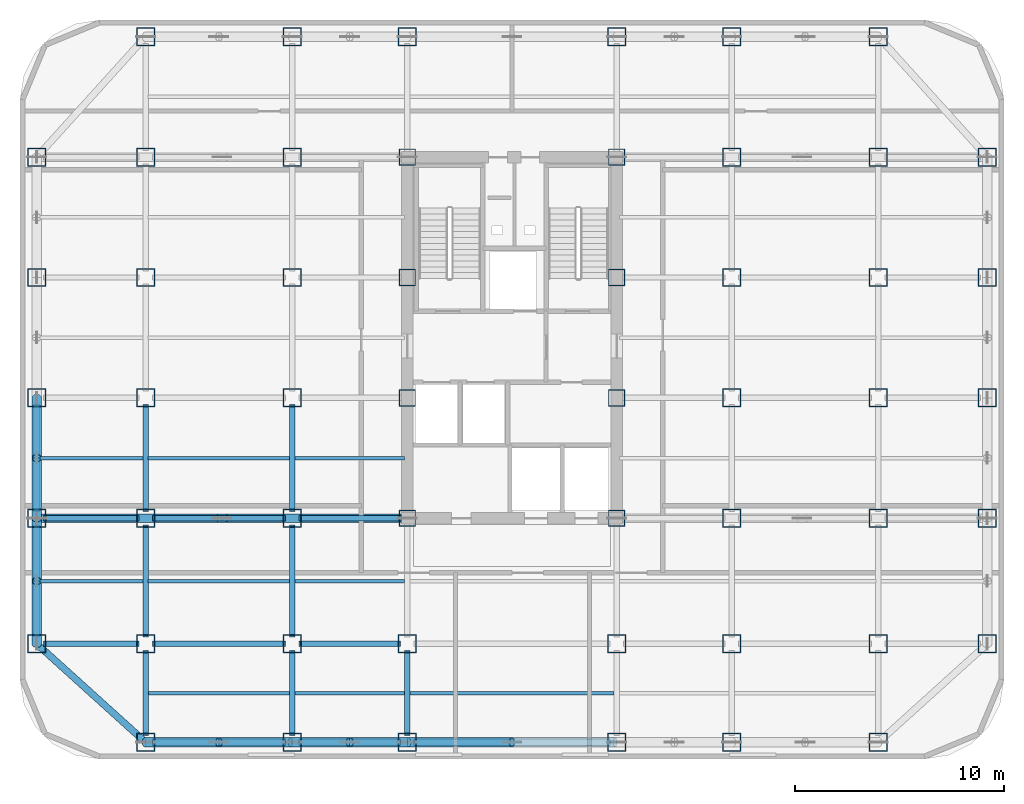
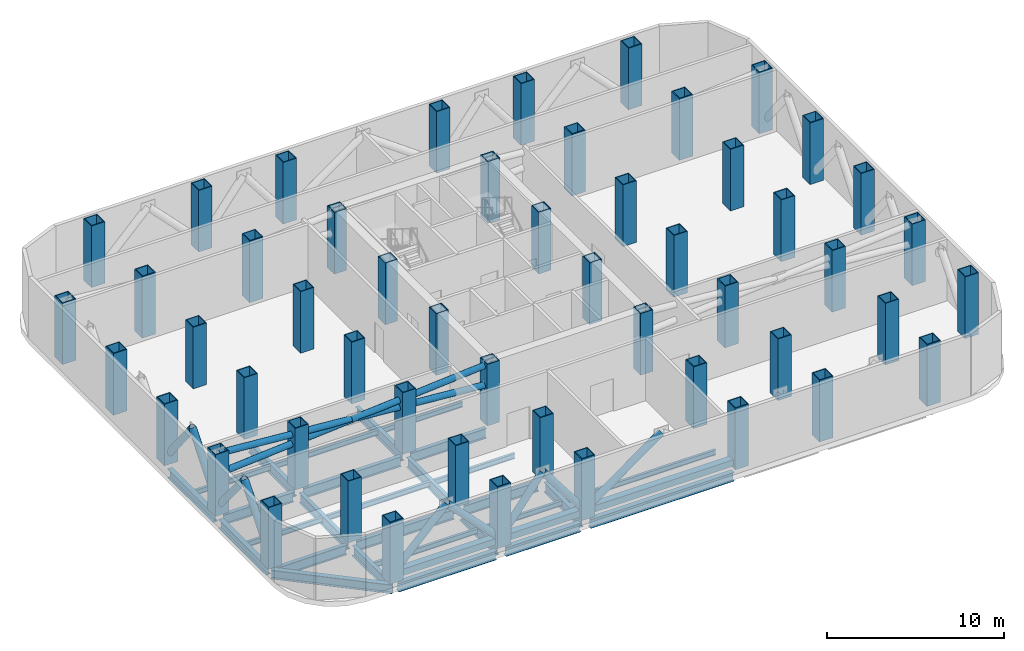
# One storey, part 1 of 9: 52 columns, 28 beams, 15 members.
"""IFC4 building model written with IfcOpenShell, lengths in metres."""

from ifc_helpers import new_model, si_unit, direction, frame, origin, origin_2d, place, context, subcontext, project, spatial, hollow_rectangle, hollow_circle, i_section, extrude, source, transform, mapped, material, material_profile, profile_set, type_object, element, save


model = new_model("IFC4")

# Units and contexts
model_context = context("Model", 3, precision=1e-05, world=origin(), true_north=direction((0.0, 1.0)))
body_context = subcontext(model_context, "Body", "Model", "MODEL_VIEW")
ifc_project = project(units=[si_unit("LENGTHUNIT", "METRE"), si_unit("AREAUNIT", "SQUARE_METRE"), si_unit("VOLUMEUNIT", "CUBIC_METRE"), si_unit("PLANEANGLEUNIT", "RADIAN"), si_unit("MASSUNIT", "GRAM", prefix="KILO")], contexts=[model_context])

# Site, building, storey
site_placement = place(None, origin())
site = spatial("IfcSite", under=ifc_project, at=site_placement, CompositionType="ELEMENT")
building_placement = place(site_placement, origin())
building = spatial("IfcBuilding", under=site, at=building_placement, Name="Kolveth Station Tower", CompositionType="ELEMENT")
storey_placement = place(building_placement, frame((0.0, 0.0, 143.89990234375)))
storey = spatial("IfcBuildingStorey", under=building, at=storey_placement, Name="L40", CompositionType="ELEMENT", Elevation=143.89990234375)

# Columns
ifc_material_1 = material(Name="Steel S460", Category="steel")
ifc_material_profile_1 = material_profile(ifc_material_1, hollow_rectangle(XDim=0.8798828125, YDim=0.8798828125, WallThickness=0.050048828125, at=origin_2d()), Name="BOX880x880x50")
ifc_profile_set_1 = profile_set([ifc_material_profile_1], Name="Steel S460")
column_type_1 = type_object("IfcColumnType", Name="Col_C4", PredefinedType="COLUMN", material=ifc_profile_set_1)
shared_shape_1 = source(origin(), body_context, "Body", "SweptSolid", [
    extrude(hollow_rectangle(XDim=0.8798828125, YDim=0.8798828125, WallThickness=0.050048828125, at=origin_2d()), origin(), (0.0, 0.0, 1.0), 4.25),
])
for number, where, z_axis, x_axis, name in (
    (1, (6.0, 0.800048828125, 0.0), (0.0, 0.0, 1.0), (1.0, 0.0, 0.0), "L40 Tower Column S-X60"),
    (2, (6.0, 34.5, 0.0), (0.0, 0.0, 1.0), (1.0, 0.0, 0.0), "L40 Tower Column N-X60"),
    (3, (13.0, 0.800048828125, 0.0), (0.0, 0.0, 1.0), (1.0, 0.0, 0.0), "L40 Tower Column S-X130"),
    (4, (13.0, 34.5, 0.0), (0.0, 0.0, 1.0), (1.0, 0.0, 0.0), "L40 Tower Column N-X130"),
    (5, (18.5, 0.800048828125, 0.0), (0.0, 0.0, 1.0), (1.0, 0.0, 0.0), "L40 Tower Column S-X185"),
    (6, (18.5, 34.5, 0.0), (0.0, 0.0, 1.0), (1.0, 0.0, 0.0), "L40 Tower Column N-X185"),
    (7, (28.5, 0.800048828125, 0.0), (0.0, 0.0, 1.0), (1.0, 0.0, 0.0), "L40 Tower Column S-X285"),
    (8, (28.5, 34.5, 0.0), (0.0, 0.0, 1.0), (1.0, 0.0, 0.0), "L40 Tower Column N-X285"),
    (9, (34.0, 0.800048828125, 0.0), (0.0, 0.0, 1.0), (1.0, 0.0, 0.0), "L40 Tower Column S-X340"),
    (10, (34.0, 34.5, 0.0), (0.0, 0.0, 1.0), (1.0, 0.0, 0.0), "L40 Tower Column N-X340"),
    (11, (41.0, 0.800048828125, 0.0), (0.0, 0.0, 1.0), (1.0, 0.0, 0.0), "L40 Tower Column S-X410"),
    (12, (41.0, 34.5, 0.0), (0.0, 0.0, 1.0), (1.0, 0.0, 0.0), "L40 Tower Column N-X410"),
    (13, (0.800048828125, 5.5, 0.0), (0.0, 0.0, 1.0), (1.0, 0.0, 0.0), "L40 Tower Column W-Y55"),
    (14, (46.199951171875, 5.5, 0.0), (0.0, 0.0, 1.0), (1.0, 0.0, 0.0), "L40 Tower Column E-Y55"),
    (15, (0.800048828125, 11.5, 0.0), (0.0, 0.0, 1.0), (1.0, 0.0, 0.0), "L40 Tower Column W-Y115"),
    (16, (46.199951171875, 11.5, 0.0), (0.0, 0.0, 1.0), (1.0, 0.0, 0.0), "L40 Tower Column E-Y115"),
    (17, (0.800048828125, 17.25, 0.0), (0.0, 0.0, 1.0), (1.0, 0.0, 0.0), "L40 Tower Column W-Y172"),
    (18, (46.199951171875, 17.25, 0.0), (0.0, 0.0, 1.0), (1.0, 0.0, 0.0), "L40 Tower Column E-Y172"),
    (19, (0.800048828125, 23.0, 0.0), (0.0, 0.0, 1.0), (1.0, 0.0, 0.0), "L40 Tower Column W-Y230"),
    (20, (46.199951171875, 23.0, 0.0), (0.0, 0.0, 1.0), (1.0, 0.0, 0.0), "L40 Tower Column E-Y230"),
    (21, (0.800048828125, 28.75, 0.0), (0.0, 0.0, 1.0), (1.0, 0.0, 0.0), "L40 Tower Column W-Y287"),
    (22, (46.199951171875, 28.75, 0.0), (0.0, 0.0, 1.0), (1.0, 0.0, 0.0), "L40 Tower Column E-Y287"),
    (23, (6.0, 5.5, 0.0), (0.0, 0.0, 1.0), (1.0, 0.0, 0.0), "L40 Tower Column G-60-55"),
    (24, (6.0, 11.5, 0.0), (0.0, 0.0, 1.0), (1.0, 0.0, 0.0), "L40 Tower Column G-60-115"),
    (25, (6.0, 17.25, 0.0), (0.0, 0.0, 1.0), (1.0, 0.0, 0.0), "L40 Tower Column G-60-172"),
    (26, (6.0, 23.0, 0.0), (0.0, 0.0, 1.0), (1.0, 0.0, 0.0), "L40 Tower Column G-60-230"),
    (27, (6.0, 28.75, 0.0), (0.0, 0.0, 1.0), (1.0, 0.0, 0.0), "L40 Tower Column G-60-287"),
    (28, (13.0, 5.5, 0.0), (0.0, 0.0, 1.0), (1.0, 0.0, 0.0), "L40 Tower Column G-130-55"),
    (29, (13.0, 11.5, 0.0), (0.0, 0.0, 1.0), (1.0, 0.0, 0.0), "L40 Tower Column G-130-115"),
    (30, (13.0, 17.25, 0.0), (0.0, 0.0, 1.0), (1.0, 0.0, 0.0), "L40 Tower Column G-130-172"),
    (31, (13.0, 23.0, 0.0), (0.0, 0.0, 1.0), (1.0, 0.0, 0.0), "L40 Tower Column G-130-230"),
    (32, (13.0, 28.75, 0.0), (0.0, 0.0, 1.0), (1.0, 0.0, 0.0), "L40 Tower Column G-130-287"),
    (33, (18.5, 5.5, 0.0), (0.0, 0.0, 1.0), (1.0, 0.0, 0.0), "L40 Tower Column G-185-55"),
    (34, (28.5, 5.5, 0.0), (0.0, 0.0, 1.0), (1.0, 0.0, 0.0), "L40 Tower Column G-285-55"),
    (35, (34.0, 5.5, 0.0), (0.0, 0.0, 1.0), (1.0, 0.0, 0.0), "L40 Tower Column G-340-55"),
    (36, (34.0, 11.5, 0.0), (0.0, 0.0, 1.0), (1.0, 0.0, 0.0), "L40 Tower Column G-340-115"),
    (37, (34.0, 17.25, 0.0), (0.0, 0.0, 1.0), (1.0, 0.0, 0.0), "L40 Tower Column G-340-172"),
    (38, (34.0, 23.0, 0.0), (0.0, 0.0, 1.0), (1.0, 0.0, 0.0), "L40 Tower Column G-340-230"),
    (39, (34.0, 28.75, 0.0), (0.0, 0.0, 1.0), (1.0, 0.0, 0.0), "L40 Tower Column G-340-287"),
    (40, (41.0, 5.5, 0.0), (0.0, 0.0, 1.0), (1.0, 0.0, 0.0), "L40 Tower Column G-410-55"),
    (41, (41.0, 11.5, 0.0), (0.0, 0.0, 1.0), (1.0, 0.0, 0.0), "L40 Tower Column G-410-115"),
    (42, (41.0, 17.25, 0.0), (0.0, 0.0, 1.0), (1.0, 0.0, 0.0), "L40 Tower Column G-410-172"),
    (43, (41.0, 23.0, 0.0), (0.0, 0.0, 1.0), (1.0, 0.0, 0.0), "L40 Tower Column G-410-230"),
    (44, (41.0, 28.75, 0.0), (0.0, 0.0, 1.0), (1.0, 0.0, 0.0), "L40 Tower Column G-410-287"),
):
    element("IfcColumn", number, at=place(storey_placement, frame(where, z_axis=z_axis, x_axis=x_axis)), inside=storey, type_object=column_type_1, Name=name, PredefinedType="COLUMN", context=body_context, shape_type="MappedRepresentation", body=[
        mapped(shared_shape_1, transform((0.0, 0.0, 0.0), x_axis=(1.0, 0.0, 0.0), y_axis=(0.0, 1.0, 0.0), z_axis=(0.0, 0.0, 1.0), scale=1.0)),
    ])
ifc_material_2 = material(Name="Steel S355", Category="steel")
ifc_material_profile_2 = material_profile(ifc_material_2, hollow_rectangle(XDim=0.800048828125, YDim=0.800048828125, WallThickness=0.044921875, at=origin_2d()), Name="BOX800x800x45")
ifc_profile_set_2 = profile_set([ifc_material_profile_2], Name="Steel S355")
column_type_2 = type_object("IfcColumnType", Name="Col_C5", PredefinedType="COLUMN", material=ifc_profile_set_2)
shared_shape_2 = source(origin(), body_context, "Body", "SweptSolid", [
    extrude(hollow_rectangle(XDim=0.800048828125, YDim=0.800048828125, WallThickness=0.044921875, at=origin_2d()), origin(), (0.0, 0.0, 1.0), 4.25),
])
for number, where, z_axis, x_axis, name in (
    (45, (18.5, 11.5, 0.0), (0.0, 0.0, 1.0), (1.0, 0.0, 0.0), "L40 Tower Column G-185-115"),
    (46, (18.5, 17.25, 0.0), (0.0, 0.0, 1.0), (1.0, 0.0, 0.0), "L40 Tower Column G-185-172"),
    (47, (18.5, 23.0, 0.0), (0.0, 0.0, 1.0), (1.0, 0.0, 0.0), "L40 Tower Column G-185-230"),
    (48, (18.5, 28.75, 0.0), (0.0, 0.0, 1.0), (1.0, 0.0, 0.0), "L40 Tower Column G-185-287"),
    (49, (28.5, 11.5, 0.0), (0.0, 0.0, 1.0), (1.0, 0.0, 0.0), "L40 Tower Column G-285-115"),
    (50, (28.5, 17.25, 0.0), (0.0, 0.0, 1.0), (1.0, 0.0, 0.0), "L40 Tower Column G-285-172"),
    (51, (28.5, 23.0, 0.0), (0.0, 0.0, 1.0), (1.0, 0.0, 0.0), "L40 Tower Column G-285-230"),
    (52, (28.5, 28.75, 0.0), (0.0, 0.0, 1.0), (1.0, 0.0, 0.0), "L40 Tower Column G-285-287"),
):
    element("IfcColumn", number, at=place(storey_placement, frame(where, z_axis=z_axis, x_axis=x_axis)), inside=storey, type_object=column_type_2, Name=name, PredefinedType="COLUMN", context=body_context, shape_type="MappedRepresentation", body=[
        mapped(shared_shape_2, transform((0.0, 0.0, 0.0), x_axis=(1.0, 0.0, 0.0), y_axis=(0.0, 1.0, 0.0), z_axis=(0.0, 0.0, 1.0), scale=1.0)),
    ])

# Beams
ifc_material_profile_3 = material_profile(ifc_material_2, i_section(OverallWidth=0.323974609375, OverallDepth=0.611083984375, WebThickness=0.0126953125, FlangeThickness=0.01904296875, at=origin_2d()), Name="W610x155")
ifc_profile_set_3 = profile_set([ifc_material_profile_3], Name="Steel S355")
beam_type_1 = type_object("IfcBeamType", Name="Beam_SP2", PredefinedType="SPANDREL", material=ifc_profile_set_3)
shared_shape_3 = source(origin(), body_context, "Body", "SweptSolid", [
    extrude(i_section(OverallWidth=0.323974609375, OverallDepth=0.611083984375, WebThickness=0.0126953125, FlangeThickness=0.01904296875, at=origin_2d()), origin(), (0.0, 0.0, 1.0), 6.35986328125),
])
beam_1_placement = place(storey_placement, frame((6.320068359375, 0.800048828125, -0.665283203125), z_axis=(1.0, 0.0, 0.0), x_axis=(0.0, 1.0, 0.0)))
element("IfcBeam", 53, at=beam_1_placement, inside=storey, type_object=beam_type_1, Name="L40 Perimeter Spandrel BM-L40-PS-1", PredefinedType="SPANDREL", context=body_context, shape_type="MappedRepresentation", body=[
    mapped(shared_shape_3, transform((0.0, 0.0, 0.0), x_axis=(1.0, 0.0, 0.0), y_axis=(0.0, 1.0, 0.0), z_axis=(0.0, 0.0, 1.0), scale=1.0)),
])
shared_shape_4 = source(origin(), body_context, "Body", "SweptSolid", [
    extrude(i_section(OverallWidth=0.323974609375, OverallDepth=0.611083984375, WebThickness=0.0126953125, FlangeThickness=0.01904296875, at=origin_2d()), origin(), (0.0, 0.0, 1.0), 4.85986328125),
])
beam_2_placement = place(storey_placement, frame((13.320068359375, 0.800048828125, -0.665283203125), z_axis=(1.0, 0.0, 0.0), x_axis=(0.0, 1.0, 0.0)))
element("IfcBeam", 54, at=beam_2_placement, inside=storey, type_object=beam_type_1, Name="L40 Perimeter Spandrel BM-L40-PS-2", PredefinedType="SPANDREL", context=body_context, shape_type="MappedRepresentation", body=[
    mapped(shared_shape_4, transform((0.0, 0.0, 0.0), x_axis=(1.0, 0.0, 0.0), y_axis=(0.0, 1.0, 0.0), z_axis=(0.0, 0.0, 1.0), scale=1.0)),
])
shared_shape_5 = source(origin(), body_context, "Body", "SweptSolid", [
    extrude(i_section(OverallWidth=0.323974609375, OverallDepth=0.611083984375, WebThickness=0.0126953125, FlangeThickness=0.01904296875, at=origin_2d()), origin(), (0.0, 0.0, 1.0), 9.35986328125),
])
beam_3_placement = place(storey_placement, frame((18.820068359375, 0.800048828125, -0.665283203125), z_axis=(1.0, 0.0, 0.0), x_axis=(0.0, 1.0, 0.0)))
element("IfcBeam", 55, at=beam_3_placement, inside=storey, type_object=beam_type_1, Name="L40 Perimeter Spandrel BM-L40-PS-3", PredefinedType="SPANDREL", context=body_context, shape_type="MappedRepresentation", body=[
    mapped(shared_shape_5, transform((0.0, 0.0, 0.0), x_axis=(1.0, 0.0, 0.0), y_axis=(0.0, 1.0, 0.0), z_axis=(0.0, 0.0, 1.0), scale=1.0)),
])
shared_shape_6 = source(origin(), body_context, "Body", "SweptSolid", [
    extrude(i_section(OverallWidth=0.323974609375, OverallDepth=0.611083984375, WebThickness=0.0126953125, FlangeThickness=0.01904296875, at=origin_2d()), origin(), (0.0, 0.0, 1.0), 5.35986328125),
])
beam_4_placement = place(storey_placement, frame((0.800048828125, 5.820068359375, -0.665283203125), z_axis=(0.0, 1.0, 0.0), x_axis=(-1.0, 0.0, 0.0)))
element("IfcBeam", 56, at=beam_4_placement, inside=storey, type_object=beam_type_1, Name="L40 Perimeter Spandrel BM-L40-PW-1", PredefinedType="SPANDREL", context=body_context, shape_type="MappedRepresentation", body=[
    mapped(shared_shape_6, transform((0.0, 0.0, 0.0), x_axis=(1.0, 0.0, 0.0), y_axis=(0.0, 1.0, 0.0), z_axis=(0.0, 0.0, 1.0), scale=1.0)),
])
shared_shape_7 = source(origin(), body_context, "Body", "SweptSolid", [
    extrude(i_section(OverallWidth=0.323974609375, OverallDepth=0.611083984375, WebThickness=0.0126953125, FlangeThickness=0.01904296875, at=origin_2d()), origin(), (0.0, 0.0, 1.0), 5.10986328125),
])
beam_5_placement = place(storey_placement, frame((0.800048828125, 11.820068359375, -0.665283203125), z_axis=(0.0, 1.0, 0.0), x_axis=(-1.0, 0.0, 0.0)))
element("IfcBeam", 57, at=beam_5_placement, inside=storey, type_object=beam_type_1, Name="L40 Perimeter Spandrel BM-L40-PW-2", PredefinedType="SPANDREL", context=body_context, shape_type="MappedRepresentation", body=[
    mapped(shared_shape_7, transform((0.0, 0.0, 0.0), x_axis=(1.0, 0.0, 0.0), y_axis=(0.0, 1.0, 0.0), z_axis=(0.0, 0.0, 1.0), scale=1.0)),
])
shared_shape_8 = source(origin(), body_context, "Body", "SweptSolid", [
    extrude(i_section(OverallWidth=0.323974609375, OverallDepth=0.611083984375, WebThickness=0.0126953125, FlangeThickness=0.01904296875, at=origin_2d()), origin(), (0.0, 0.0, 1.0), 7.00927734375),
])
beam_6_placement = place(storey_placement, frame((0.800048828125, 5.5, -0.665283203125), z_axis=(0.741874009795, -0.670539300557, 0.0), x_axis=(0.670539300557, 0.741874009795, 0.0)))
element("IfcBeam", 58, at=beam_6_placement, inside=storey, type_object=beam_type_1, Name="L40 Corner Edge Girder BM-L40-CNR-SW", PredefinedType="SPANDREL", context=body_context, shape_type="MappedRepresentation", body=[
    mapped(shared_shape_8, transform((0.0, 0.0, 0.0), x_axis=(1.0, 0.0, 0.0), y_axis=(0.0, 1.0, 0.0), z_axis=(0.0, 0.0, 1.0), scale=1.0)),
])
ifc_material_profile_4 = material_profile(ifc_material_2, i_section(OverallWidth=0.25390625, OverallDepth=0.68798828125, WebThickness=0.01318359375, FlangeThickness=0.02099609375, at=origin_2d()), Name="W690x152")
ifc_profile_set_4 = profile_set([ifc_material_profile_4], Name="Steel S355")
beam_type_2 = type_object("IfcBeamType", Name="Beam_B4", PredefinedType="BEAM", material=ifc_profile_set_4)
shared_shape_9 = source(origin(), body_context, "Body", "SweptSolid", [
    extrude(i_section(OverallWidth=0.25390625, OverallDepth=0.68798828125, WebThickness=0.01318359375, FlangeThickness=0.02099609375, at=origin_2d()), origin(), (0.0, 0.0, 1.0), 4.559814453125),
])
for number, where, z_axis, x_axis, name in (
    (59, (1.1201171875, 5.5, -0.703857421875), (1.0, 0.0, 0.0), (0.0, 1.0, 0.0), "L40 Primary Girder BM-L40-GY55-1"),
    (60, (1.1201171875, 11.5, -0.703857421875), (1.0, 0.0, 0.0), (0.0, 1.0, 0.0), "L40 Primary Girder BM-L40-GY115-1"),
):
    element("IfcBeam", number, at=place(storey_placement, frame(where, z_axis=z_axis, x_axis=x_axis)), inside=storey, type_object=beam_type_2, Name=name, PredefinedType="BEAM", context=body_context, shape_type="MappedRepresentation", body=[
        mapped(shared_shape_9, transform((0.0, 0.0, 0.0), x_axis=(1.0, 0.0, 0.0), y_axis=(0.0, 1.0, 0.0), z_axis=(0.0, 0.0, 1.0), scale=1.0)),
    ])
shared_shape_10 = source(origin(), body_context, "Body", "SweptSolid", [
    extrude(i_section(OverallWidth=0.25390625, OverallDepth=0.68798828125, WebThickness=0.01318359375, FlangeThickness=0.02099609375, at=origin_2d()), origin(), (0.0, 0.0, 1.0), 6.35986328125),
])
for number, where, z_axis, x_axis, name in (
    (61, (6.320068359375, 5.5, -0.703857421875), (1.0, 0.0, 0.0), (0.0, 1.0, 0.0), "L40 Primary Girder BM-L40-GY55-2"),
    (62, (6.320068359375, 11.5, -0.703857421875), (1.0, 0.0, 0.0), (0.0, 1.0, 0.0), "L40 Primary Girder BM-L40-GY115-2"),
):
    element("IfcBeam", number, at=place(storey_placement, frame(where, z_axis=z_axis, x_axis=x_axis)), inside=storey, type_object=beam_type_2, Name=name, PredefinedType="BEAM", context=body_context, shape_type="MappedRepresentation", body=[
        mapped(shared_shape_10, transform((0.0, 0.0, 0.0), x_axis=(1.0, 0.0, 0.0), y_axis=(0.0, 1.0, 0.0), z_axis=(0.0, 0.0, 1.0), scale=1.0)),
    ])
shared_shape_11 = source(origin(), body_context, "Body", "SweptSolid", [
    extrude(i_section(OverallWidth=0.25390625, OverallDepth=0.68798828125, WebThickness=0.01318359375, FlangeThickness=0.02099609375, at=origin_2d()), origin(), (0.0, 0.0, 1.0), 4.85986328125),
])
beam_7_placement = place(storey_placement, frame((13.320068359375, 5.5, -0.703857421875), z_axis=(1.0, 0.0, 0.0), x_axis=(0.0, 1.0, 0.0)))
element("IfcBeam", 63, at=beam_7_placement, inside=storey, type_object=beam_type_2, Name="L40 Primary Girder BM-L40-GY55-3", PredefinedType="BEAM", context=body_context, shape_type="MappedRepresentation", body=[
    mapped(shared_shape_11, transform((0.0, 0.0, 0.0), x_axis=(1.0, 0.0, 0.0), y_axis=(0.0, 1.0, 0.0), z_axis=(0.0, 0.0, 1.0), scale=1.0)),
])
shared_shape_12 = source(origin(), body_context, "Body", "SweptSolid", [
    extrude(i_section(OverallWidth=0.25390625, OverallDepth=0.68798828125, WebThickness=0.01318359375, FlangeThickness=0.02099609375, at=origin_2d()), origin(), (0.0, 0.0, 1.0), 4.89990234375),
])
beam_8_placement = place(storey_placement, frame((13.320068359375, 11.5, -0.703857421875), z_axis=(1.0, 0.0, 0.0), x_axis=(0.0, 1.0, 0.0)))
element("IfcBeam", 64, at=beam_8_placement, inside=storey, type_object=beam_type_2, Name="L40 Primary Girder BM-L40-GY115-3", PredefinedType="BEAM", context=body_context, shape_type="MappedRepresentation", body=[
    mapped(shared_shape_12, transform((0.0, 0.0, 0.0), x_axis=(1.0, 0.0, 0.0), y_axis=(0.0, 1.0, 0.0), z_axis=(0.0, 0.0, 1.0), scale=1.0)),
])
shared_shape_13 = source(origin(), body_context, "Body", "SweptSolid", [
    extrude(i_section(OverallWidth=0.25390625, OverallDepth=0.68798828125, WebThickness=0.01318359375, FlangeThickness=0.02099609375, at=origin_2d()), origin(), (0.0, 0.0, 1.0), 4.059814453125),
])
for number, where, z_axis, x_axis, name in (
    (65, (6.0, 1.1201171875, -0.703857421875), (0.0, 1.0, 0.0), (-1.0, 0.0, 0.0), "L40 Primary Girder BM-L40-GX60-1"),
    (66, (13.0, 1.1201171875, -0.703857421875), (0.0, 1.0, 0.0), (-1.0, 0.0, 0.0), "L40 Primary Girder BM-L40-GX130-1"),
    (67, (18.5, 1.1201171875, -0.703857421875), (0.0, 1.0, 0.0), (-1.0, 0.0, 0.0), "L40 Primary Girder BM-L40-GX185-1"),
):
    element("IfcBeam", number, at=place(storey_placement, frame(where, z_axis=z_axis, x_axis=x_axis)), inside=storey, type_object=beam_type_2, Name=name, PredefinedType="BEAM", context=body_context, shape_type="MappedRepresentation", body=[
        mapped(shared_shape_13, transform((0.0, 0.0, 0.0), x_axis=(1.0, 0.0, 0.0), y_axis=(0.0, 1.0, 0.0), z_axis=(0.0, 0.0, 1.0), scale=1.0)),
    ])
shared_shape_14 = source(origin(), body_context, "Body", "SweptSolid", [
    extrude(i_section(OverallWidth=0.25390625, OverallDepth=0.68798828125, WebThickness=0.01318359375, FlangeThickness=0.02099609375, at=origin_2d()), origin(), (0.0, 0.0, 1.0), 5.35986328125),
])
for number, where, z_axis, x_axis, name in (
    (68, (6.0, 5.820068359375, -0.703857421875), (0.0, 1.0, 0.0), (-1.0, 0.0, 0.0), "L40 Primary Girder BM-L40-GX60-2"),
    (69, (13.0, 5.820068359375, -0.703857421875), (0.0, 1.0, 0.0), (-1.0, 0.0, 0.0), "L40 Primary Girder BM-L40-GX130-2"),
):
    element("IfcBeam", number, at=place(storey_placement, frame(where, z_axis=z_axis, x_axis=x_axis)), inside=storey, type_object=beam_type_2, Name=name, PredefinedType="BEAM", context=body_context, shape_type="MappedRepresentation", body=[
        mapped(shared_shape_14, transform((0.0, 0.0, 0.0), x_axis=(1.0, 0.0, 0.0), y_axis=(0.0, 1.0, 0.0), z_axis=(0.0, 0.0, 1.0), scale=1.0)),
    ])
shared_shape_15 = source(origin(), body_context, "Body", "SweptSolid", [
    extrude(i_section(OverallWidth=0.25390625, OverallDepth=0.68798828125, WebThickness=0.01318359375, FlangeThickness=0.02099609375, at=origin_2d()), origin(), (0.0, 0.0, 1.0), 5.10986328125),
])
for number, where, z_axis, x_axis, name in (
    (70, (6.0, 11.820068359375, -0.703857421875), (0.0, 1.0, 0.0), (-1.0, 0.0, 0.0), "L40 Primary Girder BM-L40-GX60-3"),
    (71, (13.0, 11.820068359375, -0.703857421875), (0.0, 1.0, 0.0), (-1.0, 0.0, 0.0), "L40 Primary Girder BM-L40-GX130-3"),
):
    element("IfcBeam", number, at=place(storey_placement, frame(where, z_axis=z_axis, x_axis=x_axis)), inside=storey, type_object=beam_type_2, Name=name, PredefinedType="BEAM", context=body_context, shape_type="MappedRepresentation", body=[
        mapped(shared_shape_15, transform((0.0, 0.0, 0.0), x_axis=(1.0, 0.0, 0.0), y_axis=(0.0, 1.0, 0.0), z_axis=(0.0, 0.0, 1.0), scale=1.0)),
    ])
ifc_material_profile_5 = material_profile(ifc_material_2, i_section(OverallWidth=0.1708984375, OverallDepth=0.35205078125, WebThickness=0.0068359375, FlangeThickness=0.009765625, at=origin_2d()), Name="W360x44")
ifc_profile_set_5 = profile_set([ifc_material_profile_5], Name="Steel S355")
beam_type_3 = type_object("IfcBeamType", Name="Beam_J2", PredefinedType="JOIST", material=ifc_profile_set_5)
shared_shape_16 = source(origin(), body_context, "Body", "SweptSolid", [
    extrude(i_section(OverallWidth=0.1708984375, OverallDepth=0.35205078125, WebThickness=0.0068359375, FlangeThickness=0.009765625, at=origin_2d()), origin(), (0.0, 0.0, 1.0), 4.9150390625),
])
for number, where, z_axis, x_axis, name in (
    (72, (0.9599609375, 8.5, -0.535888671875), (1.0, 0.0, 0.0), (0.0, 1.0, 0.0), "L40 Secondary Joist JST-L40-1-2"),
    (73, (0.9599609375, 14.375, -0.535888671875), (1.0, 0.0, 0.0), (0.0, 1.0, 0.0), "L40 Secondary Joist JST-L40-1-3"),
):
    element("IfcBeam", number, at=place(storey_placement, frame(where, z_axis=z_axis, x_axis=x_axis)), inside=storey, type_object=beam_type_3, Name=name, PredefinedType="JOIST", context=body_context, shape_type="MappedRepresentation", body=[
        mapped(shared_shape_16, transform((0.0, 0.0, 0.0), x_axis=(1.0, 0.0, 0.0), y_axis=(0.0, 1.0, 0.0), z_axis=(0.0, 0.0, 1.0), scale=1.0)),
    ])
shared_shape_17 = source(origin(), body_context, "Body", "SweptSolid", [
    extrude(i_section(OverallWidth=0.1708984375, OverallDepth=0.35205078125, WebThickness=0.0068359375, FlangeThickness=0.009765625, at=origin_2d()), origin(), (0.0, 0.0, 1.0), 6.75),
])
for number, where, z_axis, x_axis, name in (
    (74, (6.125, 3.14990234375, -0.535888671875), (1.0, 0.0, 0.0), (0.0, 1.0, 0.0), "L40 Secondary Joist JST-L40-2-1"),
    (75, (6.125, 8.5, -0.535888671875), (1.0, 0.0, 0.0), (0.0, 1.0, 0.0), "L40 Secondary Joist JST-L40-2-2"),
    (76, (6.125, 14.375, -0.535888671875), (1.0, 0.0, 0.0), (0.0, 1.0, 0.0), "L40 Secondary Joist JST-L40-2-3"),
):
    element("IfcBeam", number, at=place(storey_placement, frame(where, z_axis=z_axis, x_axis=x_axis)), inside=storey, type_object=beam_type_3, Name=name, PredefinedType="JOIST", context=body_context, shape_type="MappedRepresentation", body=[
        mapped(shared_shape_17, transform((0.0, 0.0, 0.0), x_axis=(1.0, 0.0, 0.0), y_axis=(0.0, 1.0, 0.0), z_axis=(0.0, 0.0, 1.0), scale=1.0)),
    ])
shared_shape_18 = source(origin(), body_context, "Body", "SweptSolid", [
    extrude(i_section(OverallWidth=0.1708984375, OverallDepth=0.35205078125, WebThickness=0.0068359375, FlangeThickness=0.009765625, at=origin_2d()), origin(), (0.0, 0.0, 1.0), 5.25),
])
for number, where, z_axis, x_axis, name in (
    (77, (13.125, 3.14990234375, -0.535888671875), (1.0, 0.0, 0.0), (0.0, 1.0, 0.0), "L40 Secondary Joist JST-L40-3-1"),
    (78, (13.125, 8.5, -0.535888671875), (1.0, 0.0, 0.0), (0.0, 1.0, 0.0), "L40 Secondary Joist JST-L40-3-2"),
    (79, (13.125, 14.375, -0.535888671875), (1.0, 0.0, 0.0), (0.0, 1.0, 0.0), "L40 Secondary Joist JST-L40-3-3"),
):
    element("IfcBeam", number, at=place(storey_placement, frame(where, z_axis=z_axis, x_axis=x_axis)), inside=storey, type_object=beam_type_3, Name=name, PredefinedType="JOIST", context=body_context, shape_type="MappedRepresentation", body=[
        mapped(shared_shape_18, transform((0.0, 0.0, 0.0), x_axis=(1.0, 0.0, 0.0), y_axis=(0.0, 1.0, 0.0), z_axis=(0.0, 0.0, 1.0), scale=1.0)),
    ])
shared_shape_19 = source(origin(), body_context, "Body", "SweptSolid", [
    extrude(i_section(OverallWidth=0.1708984375, OverallDepth=0.35205078125, WebThickness=0.0068359375, FlangeThickness=0.009765625, at=origin_2d()), origin(), (0.0, 0.0, 1.0), 9.75),
])
beam_9_placement = place(storey_placement, frame((18.625, 3.14990234375, -0.535888671875), z_axis=(1.0, 0.0, 0.0), x_axis=(0.0, 1.0, 0.0)))
element("IfcBeam", 80, at=beam_9_placement, inside=storey, type_object=beam_type_3, Name="L40 Secondary Joist JST-L40-4-1", PredefinedType="JOIST", context=body_context, shape_type="MappedRepresentation", body=[
    mapped(shared_shape_19, transform((0.0, 0.0, 0.0), x_axis=(1.0, 0.0, 0.0), y_axis=(0.0, 1.0, 0.0), z_axis=(0.0, 0.0, 1.0), scale=1.0)),
])

# Members
ifc_material_profile_6 = material_profile(ifc_material_1, hollow_rectangle(XDim=0.449951171875, YDim=0.449951171875, WallThickness=0.02490234375, at=origin_2d()), Name="HSS450x450x25")
ifc_profile_set_6 = profile_set([ifc_material_profile_6], Name="Steel S460")
member_type_1 = type_object("IfcMemberType", Name="Mem_CH1", PredefinedType="CHORD", material=ifc_profile_set_6)
shared_shape_20 = source(origin(), body_context, "Body", "SweptSolid", [
    extrude(hollow_rectangle(XDim=0.449951171875, YDim=0.449951171875, WallThickness=0.02490234375, at=origin_2d()), origin(), (0.0, 0.0, 1.0), 7.0),
])
member_1_placement = place(storey_placement, frame((6.0, 0.800048828125, 0.35009765625), z_axis=(1.0, 0.0, 0.0), x_axis=(0.0, 1.0, 0.0)))
element("IfcMember", 81, at=member_1_placement, inside=storey, type_object=member_type_1, Name="L40 Belt Truss Bottom Chord S1", PredefinedType="CHORD", context=body_context, shape_type="MappedRepresentation", body=[
    mapped(shared_shape_20, transform((0.0, 0.0, 0.0), x_axis=(1.0, 0.0, 0.0), y_axis=(0.0, 1.0, 0.0), z_axis=(0.0, 0.0, 1.0), scale=1.0)),
])
shared_shape_21 = source(origin(), body_context, "Body", "SweptSolid", [
    extrude(hollow_rectangle(XDim=0.449951171875, YDim=0.449951171875, WallThickness=0.02490234375, at=origin_2d()), origin(), (0.0, 0.0, 1.0), 5.5),
])
member_2_placement = place(storey_placement, frame((13.0, 0.800048828125, 0.35009765625), z_axis=(1.0, 0.0, 0.0), x_axis=(0.0, 1.0, 0.0)))
element("IfcMember", 82, at=member_2_placement, inside=storey, type_object=member_type_1, Name="L40 Belt Truss Bottom Chord S2", PredefinedType="CHORD", context=body_context, shape_type="MappedRepresentation", body=[
    mapped(shared_shape_21, transform((0.0, 0.0, 0.0), x_axis=(1.0, 0.0, 0.0), y_axis=(0.0, 1.0, 0.0), z_axis=(0.0, 0.0, 1.0), scale=1.0)),
])
shared_shape_22 = source(origin(), body_context, "Body", "SweptSolid", [
    extrude(hollow_rectangle(XDim=0.449951171875, YDim=0.449951171875, WallThickness=0.02490234375, at=origin_2d()), origin(), (0.0, 0.0, 1.0), 10.0),
])
member_3_placement = place(storey_placement, frame((18.5, 0.800048828125, 0.35009765625), z_axis=(1.0, 0.0, 0.0), x_axis=(0.0, 1.0, 0.0)))
element("IfcMember", 83, at=member_3_placement, inside=storey, type_object=member_type_1, Name="L40 Belt Truss Bottom Chord S3", PredefinedType="CHORD", context=body_context, shape_type="MappedRepresentation", body=[
    mapped(shared_shape_22, transform((0.0, 0.0, 0.0), x_axis=(1.0, 0.0, 0.0), y_axis=(0.0, 1.0, 0.0), z_axis=(0.0, 0.0, 1.0), scale=1.0)),
])
ifc_material_profile_7 = material_profile(ifc_material_1, hollow_circle(Radius=0.228515625, WallThickness=0.02197265625, at=origin_2d()), Name="CHS457x22")
ifc_profile_set_7 = profile_set([ifc_material_profile_7], Name="Steel S460")
member_type_2 = type_object("IfcMemberType", Name="Mem_BR2", PredefinedType="BRACE", material=ifc_profile_set_7)
shared_shape_23 = source(origin(), body_context, "Body", "SweptSolid", [
    extrude(hollow_circle(Radius=0.228515625, WallThickness=0.02197265625, at=origin_2d()), origin(), (0.0, 0.0, 1.0), 5.02099609375),
])
for number, where, z_axis, x_axis, name in (
    (84, (6.0, 0.800048828125, 0.35009765625), (0.697068672355, 0.0, 0.717004369597), (0.0, 1.0, 0.0), "L40 Belt Truss Brace S1A"),
    (85, (13.0, 0.800048828125, 0.35009765625), (-0.697068672355, 0.0, 0.717004369597), (0.0, -1.0, 0.0), "L40 Belt Truss Brace S1B"),
):
    element("IfcMember", number, at=place(storey_placement, frame(where, z_axis=z_axis, x_axis=x_axis)), inside=storey, type_object=member_type_2, Name=name, PredefinedType="BRACE", context=body_context, shape_type="MappedRepresentation", body=[
        mapped(shared_shape_23, transform((0.0, 0.0, 0.0), x_axis=(1.0, 0.0, 0.0), y_axis=(0.0, 1.0, 0.0), z_axis=(0.0, 0.0, 1.0), scale=1.0)),
    ])
shared_shape_24 = source(origin(), body_context, "Body", "SweptSolid", [
    extrude(hollow_circle(Radius=0.228515625, WallThickness=0.02197265625, at=origin_2d()), origin(), (0.0, 0.0, 1.0), 4.5302734375),
])
for number, where, z_axis, x_axis, name in (
    (86, (13.0, 0.800048828125, 0.35009765625), (0.607029954036, 0.0, 0.794678950836), (0.0, 1.0, 0.0), "L40 Belt Truss Brace S2A"),
    (87, (18.5, 0.800048828125, 0.35009765625), (-0.607029954036, 0.0, 0.794678950836), (0.0, -1.0, 0.0), "L40 Belt Truss Brace S2B"),
):
    element("IfcMember", number, at=place(storey_placement, frame(where, z_axis=z_axis, x_axis=x_axis)), inside=storey, type_object=member_type_2, Name=name, PredefinedType="BRACE", context=body_context, shape_type="MappedRepresentation", body=[
        mapped(shared_shape_24, transform((0.0, 0.0, 0.0), x_axis=(1.0, 0.0, 0.0), y_axis=(0.0, 1.0, 0.0), z_axis=(0.0, 0.0, 1.0), scale=1.0)),
    ])
shared_shape_25 = source(origin(), body_context, "Body", "SweptSolid", [
    extrude(hollow_circle(Radius=0.228515625, WallThickness=0.02197265625, at=origin_2d()), origin(), (0.0, 0.0, 1.0), 6.1611328125),
])
member_4_placement = place(storey_placement, frame((18.5, 0.800048828125, 0.35009765625), z_axis=(0.811526825515, 0.0, 0.584315164504), x_axis=(0.0, 1.0, 0.0)))
element("IfcMember", 88, at=member_4_placement, inside=storey, type_object=member_type_2, Name="L40 Belt Truss Brace S3A", PredefinedType="BRACE", context=body_context, shape_type="MappedRepresentation", body=[
    mapped(shared_shape_25, transform((0.0, 0.0, 0.0), x_axis=(1.0, 0.0, 0.0), y_axis=(0.0, 1.0, 0.0), z_axis=(0.0, 0.0, 1.0), scale=1.0)),
])
shared_shape_26 = source(origin(), body_context, "Body", "SweptSolid", [
    extrude(hollow_circle(Radius=0.228515625, WallThickness=0.02197265625, at=origin_2d()), origin(), (0.0, 0.0, 1.0), 4.686279296875),
])
for number, where, z_axis, x_axis, name in (
    (89, (0.800048828125, 5.5, 0.35009765625), (0.0, 0.640174150918, 0.768229820104), (-1.0, 0.0, 0.0), "L40 Belt Truss Brace W1A"),
    (90, (0.800048828125, 11.5, 0.35009765625), (0.0, -0.640174150918, 0.768229820104), (1.0, 0.0, 0.0), "L40 Belt Truss Brace W1B"),
):
    element("IfcMember", number, at=place(storey_placement, frame(where, z_axis=z_axis, x_axis=x_axis)), inside=storey, type_object=member_type_2, Name=name, PredefinedType="BRACE", context=body_context, shape_type="MappedRepresentation", body=[
        mapped(shared_shape_26, transform((0.0, 0.0, 0.0), x_axis=(1.0, 0.0, 0.0), y_axis=(0.0, 1.0, 0.0), z_axis=(0.0, 0.0, 1.0), scale=1.0)),
    ])
shared_shape_27 = source(origin(), body_context, "Body", "SweptSolid", [
    extrude(hollow_circle(Radius=0.228515625, WallThickness=0.02197265625, at=origin_2d()), origin(), (0.0, 0.0, 1.0), 4.607177734375),
])
for number, where, z_axis, x_axis, name in (
    (91, (0.800048828125, 11.5, 0.35009765625), (0.0, 0.624022734425, 0.781406185617), (-1.0, 0.0, 0.0), "L40 Belt Truss Brace W2A"),
    (92, (0.800048828125, 17.25, 0.35009765625), (0.0, -0.624022734425, 0.781406185617), (1.0, 0.0, 0.0), "L40 Belt Truss Brace W2B"),
):
    element("IfcMember", number, at=place(storey_placement, frame(where, z_axis=z_axis, x_axis=x_axis)), inside=storey, type_object=member_type_2, Name=name, PredefinedType="BRACE", context=body_context, shape_type="MappedRepresentation", body=[
        mapped(shared_shape_27, transform((0.0, 0.0, 0.0), x_axis=(1.0, 0.0, 0.0), y_axis=(0.0, 1.0, 0.0), z_axis=(0.0, 0.0, 1.0), scale=1.0)),
    ])
ifc_material_profile_8 = material_profile(ifc_material_2, hollow_circle(Radius=0.202880859375, WallThickness=0.02001953125, at=origin_2d()), Name="CHS406x20")
ifc_profile_set_8 = profile_set([ifc_material_profile_8], Name="Steel S355")
member_type_3 = type_object("IfcMemberType", Name="Mem_BR3", PredefinedType="BRACE", material=ifc_profile_set_8)
shared_shape_28 = source(origin(), body_context, "Body", "SweptSolid", [
    extrude(hollow_circle(Radius=0.202880859375, WallThickness=0.02001953125, at=origin_2d()), origin(), (0.0, 0.0, 1.0), 17.755126953125),
])
member_5_placement = place(storey_placement, frame((0.800048828125, 11.5, 2.550048828125), z_axis=(0.996885843519, 0.0, 0.078858195459), x_axis=(0.0, 1.0, 0.0)))
element("IfcMember", 93, at=member_5_placement, inside=storey, type_object=member_type_3, Name="L40 Outrigger Continuous Diagonal 1A", PredefinedType="BRACE", context=body_context, shape_type="MappedRepresentation", body=[
    mapped(shared_shape_28, transform((0.0, 0.0, 0.0), x_axis=(1.0, 0.0, 0.0), y_axis=(0.0, 1.0, 0.0), z_axis=(0.0, 0.0, 1.0), scale=1.0)),
])
shared_shape_29 = source(origin(), body_context, "Body", "SweptSolid", [
    extrude(hollow_circle(Radius=0.202880859375, WallThickness=0.02001953125, at=origin_2d()), origin(), (0.0, 0.0, 1.0), 8.657470703125),
])
for number, where, z_axis, x_axis, name in (
    (94, (18.5, 11.5, 2.550048828125), (-0.996884567752, 0.0, 0.078874321405), (0.0, -1.0, 0.0), "L40 Outrigger Split Lower Diagonal 1B1"),
    (95, (9.4306640625, 11.5, 3.267333984375), (-0.996884567752, 0.0, 0.078874321405), (0.0, -1.0, 0.0), "L40 Outrigger Split Upper Diagonal 1B2"),
):
    element("IfcMember", number, at=place(storey_placement, frame(where, z_axis=z_axis, x_axis=x_axis)), inside=storey, type_object=member_type_3, Name=name, PredefinedType="BRACE", context=body_context, shape_type="MappedRepresentation", body=[
        mapped(shared_shape_29, transform((0.0, 0.0, 0.0), x_axis=(1.0, 0.0, 0.0), y_axis=(0.0, 1.0, 0.0), z_axis=(0.0, 0.0, 1.0), scale=1.0)),
    ])

save(model, "model.ifc")
